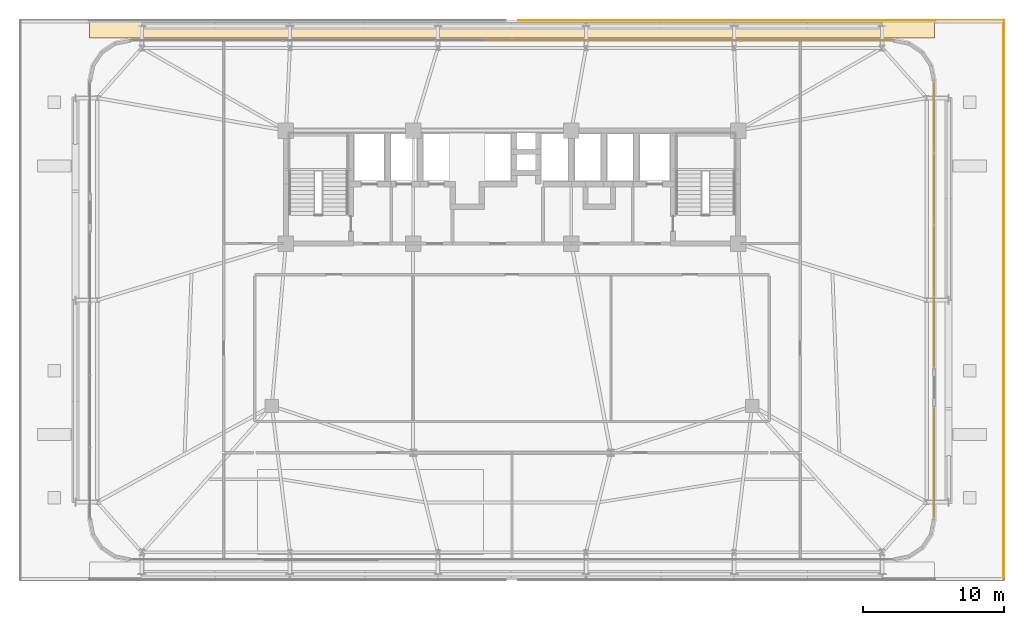
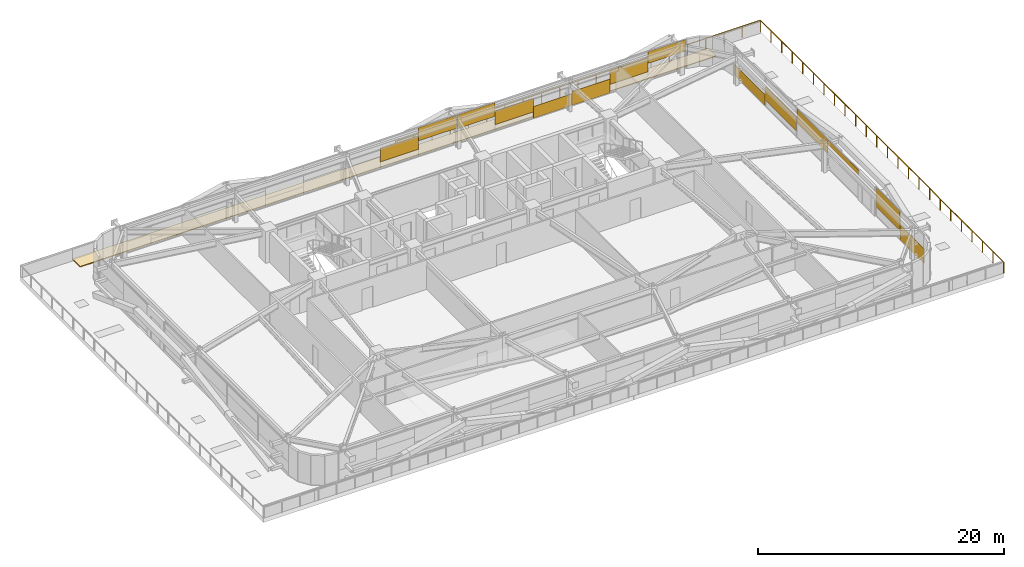
# One storey, part 56 of 56: 15 coverings, 2 railings.
"""IFC4 building model written with IfcOpenShell, lengths in metres."""

from ifc_helpers import new_model, si_unit, direction, frame, origin, origin_2d, place, context, subcontext, project, spatial, rectangle, extrude, source, transform, mapped, material, layer, layer_set, type_object, element, save


model = new_model("IFC4")

# Units and contexts
model_context = context("Model", 3, precision=1e-05, world=origin(), true_north=direction((0.0, 1.0)))
body_context = subcontext(model_context, "Body", "Model", "MODEL_VIEW")
ifc_project = project(units=[si_unit("LENGTHUNIT", "METRE"), si_unit("AREAUNIT", "SQUARE_METRE"), si_unit("VOLUMEUNIT", "CUBIC_METRE"), si_unit("PLANEANGLEUNIT", "RADIAN"), si_unit("MASSUNIT", "GRAM", prefix="KILO")], contexts=[model_context])

# Site, building, storey
site_placement = place(None, origin())
site = spatial("IfcSite", under=ifc_project, at=site_placement, CompositionType="ELEMENT")
building_placement = place(site_placement, origin())
building = spatial("IfcBuilding", under=site, at=building_placement, Name="Taldren Reach Tower", CompositionType="ELEMENT")
storey_placement = place(building_placement, frame((0.0, 0.0, 16.800048828125)))
storey = spatial("IfcBuildingStorey", under=building, at=storey_placement, Name="L04", CompositionType="ELEMENT", Elevation=16.800048828125)

# Railings
ifc_material_1 = material(Name="Laminated Glass and Pale-Anodised Aluminium Balustrade", Category="aluminium")
ifc_layer_1 = layer(ifc_material_1, 0.070068359375)
ifc_layer_set_1 = layer_set([ifc_layer_1], Name="Laminated Glass and Pale-Anodised Aluminium Balustrade")
railing_type = type_object("IfcRailingType", Name="RL-TERR-1150", PredefinedType="GUARDRAIL", material=ifc_layer_set_1)
railing_1_placement = place(storey_placement, frame((35.469970703125, 39.800048828125, 0.0)))
element("IfcRailing", 1, at=railing_1_placement, inside=storey, type_object=railing_type, Name="Outdoor terrace guardrail TERR-L04-EAST-01", PredefinedType="GUARDRAIL", context=body_context, shape_type="SweptSolid", body=[
    extrude(rectangle(XDim=0.047852, YDim=0.047852, at=origin_2d()), frame((0.0, 0.0, 1.1259765625), z_axis=(1.0, 0.0, 0.0), x_axis=(0.0, 1.0, 0.0)), (0.0, 0.0, 1.0), 34.330078125),
    extrude(rectangle(XDim=0.041992, YDim=0.041992, at=origin_2d()), origin(), (0.0, 0.0, 1.0), 1.101806640625),
    extrude(rectangle(XDim=0.041992, YDim=0.041992, at=origin_2d()), frame((1.716552734375, 0.0, 0.0)), (0.0, 0.0, 1.0), 1.101806640625),
    extrude(rectangle(XDim=0.041992, YDim=0.041992, at=origin_2d()), frame((3.43310546875, 0.0, 0.0)), (0.0, 0.0, 1.0), 1.101806640625),
    extrude(rectangle(XDim=0.041992, YDim=0.041992, at=origin_2d()), frame((5.1494140625, 0.0, 0.0)), (0.0, 0.0, 1.0), 1.101806640625),
    extrude(rectangle(XDim=0.041992, YDim=0.041992, at=origin_2d()), frame((6.865966796875, 0.0, 0.0)), (0.0, 0.0, 1.0), 1.101806640625),
    extrude(rectangle(XDim=0.041992, YDim=0.041992, at=origin_2d()), frame((8.58251953125, 0.0, 0.0)), (0.0, 0.0, 1.0), 1.101806640625),
    extrude(rectangle(XDim=0.041992, YDim=0.041992, at=origin_2d()), frame((10.299072265625, 0.0, 0.0)), (0.0, 0.0, 1.0), 1.101806640625),
    extrude(rectangle(XDim=0.041992, YDim=0.041992, at=origin_2d()), frame((12.015625, 0.0, 0.0)), (0.0, 0.0, 1.0), 1.101806640625),
    extrude(rectangle(XDim=0.041992, YDim=0.041992, at=origin_2d()), frame((13.73193359375, 0.0, 0.0)), (0.0, 0.0, 1.0), 1.101806640625),
    extrude(rectangle(XDim=0.041992, YDim=0.041992, at=origin_2d()), frame((15.448486328125, 0.0, 0.0)), (0.0, 0.0, 1.0), 1.101806640625),
    extrude(rectangle(XDim=0.041992, YDim=0.041992, at=origin_2d()), frame((17.1650390625, 0.0, 0.0)), (0.0, 0.0, 1.0), 1.101806640625),
    extrude(rectangle(XDim=0.041992, YDim=0.041992, at=origin_2d()), frame((18.881591796875, 0.0, 0.0)), (0.0, 0.0, 1.0), 1.101806640625),
    extrude(rectangle(XDim=0.041992, YDim=0.041992, at=origin_2d()), frame((20.59814453125, 0.0, 0.0)), (0.0, 0.0, 1.0), 1.101806640625),
    extrude(rectangle(XDim=0.041992, YDim=0.041992, at=origin_2d()), frame((22.314453125, 0.0, 0.0)), (0.0, 0.0, 1.0), 1.101806640625),
    extrude(rectangle(XDim=0.041992, YDim=0.041992, at=origin_2d()), frame((24.031005859375, 0.0, 0.0)), (0.0, 0.0, 1.0), 1.101806640625),
    extrude(rectangle(XDim=0.041992, YDim=0.041992, at=origin_2d()), frame((25.74755859375, 0.0, 0.0)), (0.0, 0.0, 1.0), 1.101806640625),
    extrude(rectangle(XDim=0.041992, YDim=0.041992, at=origin_2d()), frame((27.464111328125, 0.0, 0.0)), (0.0, 0.0, 1.0), 1.101806640625),
    extrude(rectangle(XDim=0.041992, YDim=0.041992, at=origin_2d()), frame((29.1806640625, 0.0, 0.0)), (0.0, 0.0, 1.0), 1.101806640625),
    extrude(rectangle(XDim=0.041992, YDim=0.041992, at=origin_2d()), frame((30.89697265625, 0.0, 0.0)), (0.0, 0.0, 1.0), 1.101806640625),
    extrude(rectangle(XDim=0.041992, YDim=0.041992, at=origin_2d()), frame((32.613525390625, 0.0, 0.0)), (0.0, 0.0, 1.0), 1.101806640625),
    extrude(rectangle(XDim=0.041992, YDim=0.041992, at=origin_2d()), frame((34.330078125, 0.0, 0.0)), (0.0, 0.0, 1.0), 1.101806640625),
])
railing_2_placement = place(storey_placement, frame((69.800048828125, 39.800048828125, 0.0)))
element("IfcRailing", 2, at=railing_2_placement, inside=storey, type_object=railing_type, Name="Outdoor terrace guardrail TERR-L04-EAST-02", PredefinedType="GUARDRAIL", context=body_context, shape_type="SweptSolid", body=[
    extrude(rectangle(XDim=0.047852, YDim=0.047852, at=origin_2d()), frame((0.0, 0.0, 1.1259765625), z_axis=(0.0, -1.0, 0.0), x_axis=(1.0, 0.0, 0.0)), (0.0, 0.0, 1.0), 39.60009765625),
    extrude(rectangle(XDim=0.041992, YDim=0.041992, at=origin_2d()), origin(), (0.0, 0.0, 1.0), 1.101806640625),
    extrude(rectangle(XDim=0.041992, YDim=0.041992, at=origin_2d()), frame((0.0, -1.7216796875, 0.0)), (0.0, 0.0, 1.0), 1.101806640625),
    extrude(rectangle(XDim=0.041992, YDim=0.041992, at=origin_2d()), frame((0.0, -3.443603515625, 0.0)), (0.0, 0.0, 1.0), 1.101806640625),
    extrude(rectangle(XDim=0.041992, YDim=0.041992, at=origin_2d()), frame((0.0, -5.165283203125, 0.0)), (0.0, 0.0, 1.0), 1.101806640625),
    extrude(rectangle(XDim=0.041992, YDim=0.041992, at=origin_2d()), frame((0.0, -6.886962890625, 0.0)), (0.0, 0.0, 1.0), 1.101806640625),
    extrude(rectangle(XDim=0.041992, YDim=0.041992, at=origin_2d()), frame((0.0, -8.608642578125, 0.0)), (0.0, 0.0, 1.0), 1.101806640625),
    extrude(rectangle(XDim=0.041992, YDim=0.041992, at=origin_2d()), frame((0.0, -10.33056640625, 0.0)), (0.0, 0.0, 1.0), 1.101806640625),
    extrude(rectangle(XDim=0.041992, YDim=0.041992, at=origin_2d()), frame((0.0, -12.05224609375, 0.0)), (0.0, 0.0, 1.0), 1.101806640625),
    extrude(rectangle(XDim=0.041992, YDim=0.041992, at=origin_2d()), frame((0.0, -13.77392578125, 0.0)), (0.0, 0.0, 1.0), 1.101806640625),
    extrude(rectangle(XDim=0.041992, YDim=0.041992, at=origin_2d()), frame((0.0, -15.49560546875, 0.0)), (0.0, 0.0, 1.0), 1.101806640625),
    extrude(rectangle(XDim=0.041992, YDim=0.041992, at=origin_2d()), frame((0.0, -17.217529296875, 0.0)), (0.0, 0.0, 1.0), 1.101806640625),
    extrude(rectangle(XDim=0.041992, YDim=0.041992, at=origin_2d()), frame((0.0, -18.939208984375, 0.0)), (0.0, 0.0, 1.0), 1.101806640625),
    extrude(rectangle(XDim=0.041992, YDim=0.041992, at=origin_2d()), frame((0.0, -20.660888671875, 0.0)), (0.0, 0.0, 1.0), 1.101806640625),
    extrude(rectangle(XDim=0.041992, YDim=0.041992, at=origin_2d()), frame((0.0, -22.382568359375, 0.0)), (0.0, 0.0, 1.0), 1.101806640625),
    extrude(rectangle(XDim=0.041992, YDim=0.041992, at=origin_2d()), frame((0.0, -24.1044921875, 0.0)), (0.0, 0.0, 1.0), 1.101806640625),
    extrude(rectangle(XDim=0.041992, YDim=0.041992, at=origin_2d()), frame((0.0, -25.826171875, 0.0)), (0.0, 0.0, 1.0), 1.101806640625),
    extrude(rectangle(XDim=0.041992, YDim=0.041992, at=origin_2d()), frame((0.0, -27.5478515625, 0.0)), (0.0, 0.0, 1.0), 1.101806640625),
    extrude(rectangle(XDim=0.041992, YDim=0.041992, at=origin_2d()), frame((0.0, -29.26953125, 0.0)), (0.0, 0.0, 1.0), 1.101806640625),
    extrude(rectangle(XDim=0.041992, YDim=0.041992, at=origin_2d()), frame((0.0, -30.991455078125, 0.0)), (0.0, 0.0, 1.0), 1.101806640625),
    extrude(rectangle(XDim=0.041992, YDim=0.041992, at=origin_2d()), frame((0.0, -32.713134765625, 0.0)), (0.0, 0.0, 1.0), 1.101806640625),
    extrude(rectangle(XDim=0.041992, YDim=0.041992, at=origin_2d()), frame((0.0, -34.434814453125, 0.0)), (0.0, 0.0, 1.0), 1.101806640625),
    extrude(rectangle(XDim=0.041992, YDim=0.041992, at=origin_2d()), frame((0.0, -36.156494140625, 0.0)), (0.0, 0.0, 1.0), 1.101806640625),
    extrude(rectangle(XDim=0.041992, YDim=0.041992, at=origin_2d()), frame((0.0, -37.87841796875, 0.0)), (0.0, 0.0, 1.0), 1.101806640625),
    extrude(rectangle(XDim=0.041992, YDim=0.041992, at=origin_2d()), frame((0.0, -39.60009765625, 0.0)), (0.0, 0.0, 1.0), 1.101806640625),
])

# Coverings
ifc_material_2 = material(Name="SBS Modified Bitumen Waterproofing and Ballast Membrane")
ifc_layer_2 = layer(ifc_material_2, 0.080078125)
ifc_layer_set_2 = layer_set([ifc_layer_2], Name="SBS Modified Bitumen Waterproofing and Ballast Membrane")
covering_type_1 = type_object("IfcCoveringType", Name="CV-ROOF-080", PredefinedType="ROOFING", material=ifc_layer_set_2)
shared_shape_1 = source(origin(), body_context, "Body", "SweptSolid", [
    extrude(rectangle(XDim=59.800048828125, YDim=1.260009765625, at=origin_2d()), origin(), (0.0, 0.0, 1.0), 0.080078125),
])
covering_1_placement = place(storey_placement, frame((35.0, 39.169921875, 0.0), z_axis=(0.0, 0.0, 1.0), x_axis=(1.0, 0.0, 0.0)))
element("IfcCovering", 3, at=covering_1_placement, inside=storey, type_object=covering_type_1, Name="Podium roof waterproofing membrane L04-N", PredefinedType="ROOFING", context=body_context, shape_type="MappedRepresentation", body=[
    mapped(shared_shape_1, transform((0.0, 0.0, 0.0), scale=1.0)),
])
ifc_material_3 = material(Name="Pale Champagne Fluoropolymer Aluminium Spandrel Cladding", Category="aluminium")
ifc_layer_3 = layer(ifc_material_3, 0.0439453125)
ifc_layer_set_3 = layer_set([ifc_layer_3], Name="Pale Champagne Fluoropolymer Aluminium Spandrel Cladding")
covering_type_2 = type_object("IfcCoveringType", Name="CV-CLAD-044", PredefinedType="CLADDING", material=ifc_layer_set_3)
shared_shape_2 = source(origin(), body_context, "Body", "SweptSolid", [
    extrude(rectangle(XDim=3.5673828125, YDim=0.0439453125, at=origin_2d()), origin(), (0.0, 0.0, 1.0), 1.36083984375),
])
covering_2_placement = place(storey_placement, frame((56.583740234375, 38.360107421875, 0.899169921875), z_axis=(0.0, 0.0, 1.0), x_axis=(-1.0, 0.0, 0.0)))
element("IfcCovering", 4, at=covering_2_placement, inside=storey, type_object=covering_type_2, Name="Diagrid closure cladding strip CW-2 panel 1.1 2", PredefinedType="CLADDING", context=body_context, shape_type="MappedRepresentation", body=[
    mapped(shared_shape_2, transform((0.0, 0.0, 0.0), scale=1.0)),
])
shared_shape_3 = source(origin(), body_context, "Body", "SweptSolid", [
    extrude(rectangle(XDim=3.578369140625, YDim=0.0439453125, at=origin_2d()), origin(), (0.0, 0.0, 1.0), 1.36328125),
])
for number, where, z_axis, x_axis, name in (
    (5, (45.800048828125, 38.360107421875, 0.67919921875), (0.0, 0.0, 1.0), (-1.0, 0.0, 0.0), "Diagrid closure cladding strip CW-2 panel 2.1 2"),
    (6, (35.0, 38.360107421875, 0.75341796875), (0.0, 0.0, 1.0), (-1.0, 0.0, 0.0), "Diagrid closure cladding strip CW-2 panel 3.1 2"),
):
    element("IfcCovering", number, at=place(storey_placement, frame(where, z_axis=z_axis, x_axis=x_axis)), inside=storey, type_object=covering_type_2, Name=name, PredefinedType="CLADDING", context=body_context, shape_type="MappedRepresentation", body=[
        mapped(shared_shape_3, transform((0.0, 0.0, 0.0), scale=1.0)),
    ])
shared_shape_4 = source(origin(), body_context, "Body", "SweptSolid", [
    extrude(rectangle(XDim=3.578369140625, YDim=0.0439453125, at=origin_2d()), origin(), (0.0, 0.0, 1.0), 1.2919921875),
])
covering_3_placement = place(storey_placement, frame((38.578369140625, 38.360107421875, 1.5830078125), z_axis=(0.0, 0.0, 1.0), x_axis=(-1.0, 0.0, 0.0)))
element("IfcCovering", 7, at=covering_3_placement, inside=storey, type_object=covering_type_2, Name="Diagrid closure cladding strip CW-2 panel 3.1 1", PredefinedType="CLADDING", context=body_context, shape_type="MappedRepresentation", body=[
    mapped(shared_shape_4, transform((0.0, 0.0, 0.0), scale=1.0)),
])
shared_shape_5 = source(origin(), body_context, "Body", "SweptSolid", [
    extrude(rectangle(XDim=3.578369140625, YDim=0.0439453125, at=origin_2d()), origin(), (0.0, 0.0, 1.0), 1.3662109375),
])
covering_4_placement = place(storey_placement, frame((42.2216796875, 38.360107421875, 1.5087890625), z_axis=(0.0, 0.0, 1.0), x_axis=(-1.0, 0.0, 0.0)))
element("IfcCovering", 8, at=covering_4_placement, inside=storey, type_object=covering_type_2, Name="Diagrid closure cladding strip CW-2 panel 2.1 3", PredefinedType="CLADDING", context=body_context, shape_type="MappedRepresentation", body=[
    mapped(shared_shape_5, transform((0.0, 0.0, 0.0), scale=1.0)),
])
shared_shape_6 = source(origin(), body_context, "Body", "SweptSolid", [
    extrude(rectangle(XDim=3.578369140625, YDim=0.0439453125, at=origin_2d()), origin(), (0.0, 0.0, 1.0), 1.15771484375),
])
covering_5_placement = place(storey_placement, frame((49.37841796875, 38.360107421875, 0.054931640625), z_axis=(0.0, 0.0, 1.0), x_axis=(-1.0, 0.0, 0.0)))
element("IfcCovering", 9, at=covering_5_placement, inside=storey, type_object=covering_type_2, Name="Diagrid closure cladding strip CW-2 panel 2.1 1", PredefinedType="CLADDING", context=body_context, shape_type="MappedRepresentation", body=[
    mapped(shared_shape_6, transform((0.0, 0.0, 0.0), scale=1.0)),
])
shared_shape_7 = source(origin(), body_context, "Body", "SweptSolid", [
    extrude(rectangle(XDim=3.5673828125, YDim=0.0439453125, at=origin_2d()), origin(), (0.0, 0.0, 1.0), 1.377685546875),
])
covering_6_placement = place(storey_placement, frame((53.016357421875, 38.360107421875, 0.05517578125), z_axis=(0.0, 0.0, 1.0), x_axis=(-1.0, 0.0, 0.0)))
element("IfcCovering", 10, at=covering_6_placement, inside=storey, type_object=covering_type_2, Name="Diagrid closure cladding strip CW-2 panel 1.1 3", PredefinedType="CLADDING", context=body_context, shape_type="MappedRepresentation", body=[
    mapped(shared_shape_7, transform((0.0, 0.0, 0.0), scale=1.0)),
])
shared_shape_8 = source(origin(), body_context, "Body", "SweptSolid", [
    extrude(rectangle(XDim=3.5673828125, YDim=0.0439453125, at=origin_2d()), origin(), (0.0, 0.0, 1.0), 1.1484375),
])
covering_7_placement = place(storey_placement, frame((60.1513671875, 38.360107421875, 1.7265625), z_axis=(0.0, 0.0, 1.0), x_axis=(-1.0, 0.0, 0.0)))
element("IfcCovering", 11, at=covering_7_placement, inside=storey, type_object=covering_type_2, Name="Diagrid closure cladding strip CW-2 panel 1.1 1", PredefinedType="CLADDING", context=body_context, shape_type="MappedRepresentation", body=[
    mapped(shared_shape_8, transform((0.0, 0.0, 0.0), scale=1.0)),
])
shared_shape_9 = source(origin(), body_context, "Body", "SweptSolid", [
    extrude(rectangle(XDim=3.909912109375, YDim=0.0439453125, at=origin_2d()), origin(), (0.0, 0.0, 1.0), 1.46337890625),
])
covering_8_placement = place(storey_placement, frame((64.860107421875, 6.52001953125, 0.054931640625), z_axis=(0.0, 0.0, 1.0), x_axis=(0.0, 1.0, 0.0)))
element("IfcCovering", 12, at=covering_8_placement, inside=storey, type_object=covering_type_2, Name="Diagrid closure cladding strip CW-2 panel 1.1 1", PredefinedType="CLADDING", context=body_context, shape_type="MappedRepresentation", body=[
    mapped(shared_shape_9, transform((0.0, 0.0, 0.0), scale=1.0)),
])
shared_shape_10 = source(origin(), body_context, "Body", "SweptSolid", [
    extrude(rectangle(XDim=3.909912109375, YDim=0.0439453125, at=origin_2d()), origin(), (0.0, 0.0, 1.0), 1.909912109375),
])
covering_9_placement = place(storey_placement, frame((64.860107421875, 10.429931640625, 0.96484375), z_axis=(0.0, 0.0, 1.0), x_axis=(0.0, 1.0, 0.0)))
element("IfcCovering", 13, at=covering_9_placement, inside=storey, type_object=covering_type_2, Name="Diagrid closure cladding strip CW-2 panel 1.1 2", PredefinedType="CLADDING", context=body_context, shape_type="MappedRepresentation", body=[
    mapped(shared_shape_10, transform((0.0, 0.0, 0.0), scale=1.0)),
])
shared_shape_11 = source(origin(), body_context, "Body", "SweptSolid", [
    extrude(rectangle(XDim=4.989990234375, YDim=0.0439453125, at=origin_2d()), origin(), (0.0, 0.0, 1.0), 0.5234375),
])
covering_10_placement = place(storey_placement, frame((64.860107421875, 17.7099609375, 2.3515625), z_axis=(0.0, 0.0, 1.0), x_axis=(0.0, 1.0, 0.0)))
element("IfcCovering", 14, at=covering_10_placement, inside=storey, type_object=covering_type_2, Name="Diagrid closure cladding strip CW-2 panel 1.1 1", PredefinedType="CLADDING", context=body_context, shape_type="MappedRepresentation", body=[
    mapped(shared_shape_11, transform((0.0, 0.0, 0.0), scale=1.0)),
])
shared_shape_12 = source(origin(), body_context, "Body", "SweptSolid", [
    extrude(rectangle(XDim=5.0224609375, YDim=0.0439453125, at=origin_2d()), origin(), (0.0, 0.0, 1.0), 1.387939453125),
])
covering_11_placement = place(storey_placement, frame((64.860107421875, 22.78125, 1.48681640625), z_axis=(0.0, 0.0, 1.0), x_axis=(0.0, 1.0, 0.0)))
element("IfcCovering", 15, at=covering_11_placement, inside=storey, type_object=covering_type_2, Name="Diagrid closure cladding strip CW-2 panel 2.1 1", PredefinedType="CLADDING", context=body_context, shape_type="MappedRepresentation", body=[
    mapped(shared_shape_12, transform((0.0, 0.0, 0.0), scale=1.0)),
])
shared_shape_13 = source(origin(), body_context, "Body", "SweptSolid", [
    extrude(rectangle(XDim=5.0224609375, YDim=0.0439453125, at=origin_2d()), origin(), (0.0, 0.0, 1.0), 1.380859375),
])
covering_12_placement = place(storey_placement, frame((64.860107421875, 27.86865234375, 0.622314453125), z_axis=(0.0, 0.0, 1.0), x_axis=(0.0, 1.0, 0.0)))
element("IfcCovering", 16, at=covering_12_placement, inside=storey, type_object=covering_type_2, Name="Diagrid closure cladding strip CW-2 panel 3.1 1", PredefinedType="CLADDING", context=body_context, shape_type="MappedRepresentation", body=[
    mapped(shared_shape_13, transform((0.0, 0.0, 0.0), scale=1.0)),
])
shared_shape_14 = source(origin(), body_context, "Body", "SweptSolid", [
    extrude(rectangle(XDim=4.989990234375, YDim=0.0439453125, at=origin_2d()), origin(), (0.0, 0.0, 1.0), 1.083740234375),
])
covering_13_placement = place(storey_placement, frame((64.860107421875, 32.93994140625, 0.05517578125), z_axis=(0.0, 0.0, 1.0), x_axis=(0.0, 1.0, 0.0)))
element("IfcCovering", 17, at=covering_13_placement, inside=storey, type_object=covering_type_2, Name="Diagrid closure cladding strip CW-2 panel 4.1 1", PredefinedType="CLADDING", context=body_context, shape_type="MappedRepresentation", body=[
    mapped(shared_shape_14, transform((0.0, 0.0, 0.0), scale=1.0)),
])

save(model, "model.ifc")
